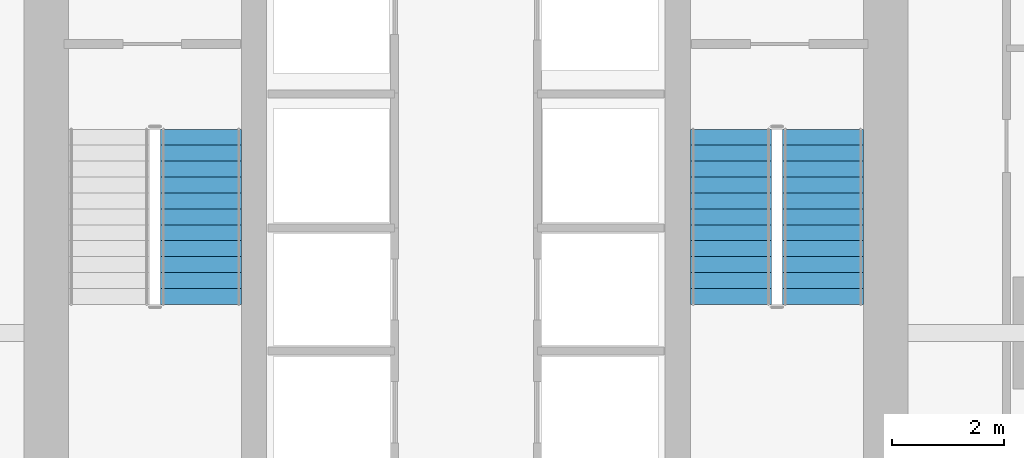
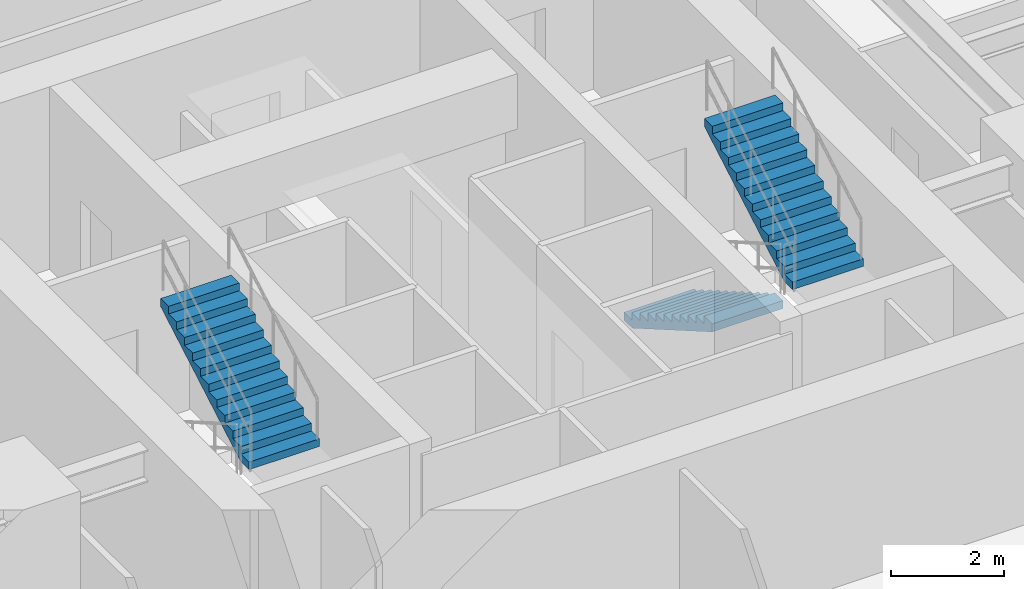
# One storey, part 25 of 27: 3 stair flights, 2 elements without a shape of their own.
"""IFC4 building model written with IfcOpenShell, lengths in metres."""

from ifc_helpers import new_model, si_unit, direction, frame, origin, place, context, subcontext, project, spatial, polyline, outline, extrude, material, type_object, element, aggregate, save


model = new_model("IFC4")

# Units and contexts
model_context = context("Model", 3, precision=1e-05, world=origin(), true_north=direction((0.0, 1.0)))
body_context = subcontext(model_context, "Body", "Model", "MODEL_VIEW")
ifc_project = project(units=[si_unit("LENGTHUNIT", "METRE"), si_unit("AREAUNIT", "SQUARE_METRE"), si_unit("VOLUMEUNIT", "CUBIC_METRE"), si_unit("PLANEANGLEUNIT", "RADIAN"), si_unit("MASSUNIT", "GRAM", prefix="KILO")], contexts=[model_context])

# Site, building, storey
site_placement = place(None, origin())
site = spatial("IfcSite", under=ifc_project, at=site_placement, CompositionType="ELEMENT")
building_placement = place(site_placement, origin())
building = spatial("IfcBuilding", under=site, at=building_placement, Name="Krantzveldt Concourse Tower", CompositionType="ELEMENT")
storey_placement = place(building_placement, frame((0.0, 0.0, 97.949951171875)))
storey = spatial("IfcBuildingStorey", under=building, at=storey_placement, Name="L23", CompositionType="ELEMENT", Elevation=97.949951171875)

# Stair, stair flight
ifc_material = material(Name="Precast concrete C40/50", Category="concrete")
stair_type = type_object("IfcStairType", Name="STR-CORE-DOGLEG", PredefinedType="HALF_TURN_STAIR", material=ifc_material)
stair_1_placement = place(storey_placement, origin())
stair_1 = element("IfcStair", 1, at=stair_1_placement, inside=storey, type_object=stair_type, Name="L23 Protected Escape Stair ST-1", PredefinedType="HALF_TURN_STAIR")
stair_flight_type = type_object("IfcStairFlightType", Name="STF-CORE-1450", PredefinedType="STRAIGHT", material=ifc_material)
stair_flight_1_placement = place(storey_placement, frame((31.2548828125, 16.4150390625, 1.97509765625), z_axis=(0.0, 0.0, 1.0), x_axis=(0.0, 1.0, 0.0)))
stair_flight_1 = element("IfcStairFlight", 2, at=stair_flight_1_placement, type_object=stair_flight_type, Name="ST-1 flight 2", NumberOfRisers=12, NumberOfTreads=11, PredefinedType="STRAIGHT", RiserHeight=0.164583333, TreadLength=0.285, context=body_context, shape_type="SweptSolid", body=[
    extrude(outline(polyline([(0.0, 0.0), (0.0, 0.16455078125), (0.284912109375, 0.16455078125), (0.284912109375, 0.3291015625), (0.570068359375, 0.3291015625), (0.570068359375, 0.49365234375), (0.85498046875, 0.49365234375), (0.85498046875, 0.658447265625), (1.139892578125, 0.658447265625), (1.139892578125, 0.822998046875), (1.425048828125, 0.822998046875), (1.425048828125, 0.987548828125), (1.7099609375, 0.987548828125), (1.7099609375, 1.152099609375), (1.9951171875, 1.152099609375), (1.9951171875, 1.316650390625), (2.280029296875, 1.316650390625), (2.280029296875, 1.481201171875), (2.56494140625, 1.481201171875), (2.56494140625, 1.645751953125), (2.85009765625, 1.645751953125), (2.85009765625, 1.810302734375), (3.135009765625, 1.810302734375), (3.135009765625, 1.97509765625), (3.135009765625, 1.63720703125), (0.2998046875, 0.0), (0.0, 0.0)])), frame((0.0, 0.72509765625, 0.0), z_axis=(0.0, -1.0, 0.0), x_axis=(1.0, 0.0, 0.0)), (0.0, 0.0, 1.0), 1.449951171875),
])
aggregate(stair_1, [stair_flight_1])

# Stair, stair flights
stair_2_placement = place(storey_placement, origin())
stair_2 = element("IfcStair", 3, at=stair_2_placement, inside=storey, type_object=stair_type, Name="L23 Protected Escape Stair ST-2", PredefinedType="HALF_TURN_STAIR")
stair_flight_2_placement = place(storey_placement, frame((40.7451171875, 19.550048828125, 0.0), z_axis=(0.0, 0.0, 1.0), x_axis=(0.0, -1.0, 0.0)))
stair_flight_2 = element("IfcStairFlight", 4, at=stair_flight_2_placement, type_object=stair_flight_type, Name="ST-2 flight 1", NumberOfRisers=12, NumberOfTreads=11, PredefinedType="STRAIGHT", RiserHeight=0.164583333, TreadLength=0.285, context=body_context, shape_type="SweptSolid", body=[
    extrude(outline(polyline([(0.0, 0.0), (0.0, 0.16455078125), (0.284912109375, 0.16455078125), (0.284912109375, 0.3291015625), (0.570068359375, 0.3291015625), (0.570068359375, 0.49365234375), (0.85498046875, 0.49365234375), (0.85498046875, 0.658447265625), (1.139892578125, 0.658447265625), (1.139892578125, 0.822998046875), (1.425048828125, 0.822998046875), (1.425048828125, 0.987548828125), (1.7099609375, 0.987548828125), (1.7099609375, 1.152099609375), (1.9951171875, 1.152099609375), (1.9951171875, 1.316650390625), (2.280029296875, 1.316650390625), (2.280029296875, 1.481201171875), (2.56494140625, 1.481201171875), (2.56494140625, 1.645751953125), (2.85009765625, 1.645751953125), (2.85009765625, 1.810302734375), (3.135009765625, 1.810302734375), (3.135009765625, 1.97509765625), (3.135009765625, 1.63720703125), (0.2998046875, 0.0), (0.0, 0.0)])), frame((0.0, 0.72509765625, 0.0), z_axis=(0.0, -1.0, 0.0), x_axis=(1.0, 0.0, 0.0)), (0.0, 0.0, 1.0), 1.449951171875),
])
stair_flight_3_placement = place(storey_placement, frame((42.39501953125, 16.4150390625, 1.97509765625), z_axis=(0.0, 0.0, 1.0), x_axis=(0.0, 1.0, 0.0)))
stair_flight_3 = element("IfcStairFlight", 5, at=stair_flight_3_placement, type_object=stair_flight_type, Name="ST-2 flight 2", NumberOfRisers=12, NumberOfTreads=11, PredefinedType="STRAIGHT", RiserHeight=0.164583333, TreadLength=0.285, context=body_context, shape_type="SweptSolid", body=[
    extrude(outline(polyline([(0.0, 0.0), (0.0, 0.16455078125), (0.284912109375, 0.16455078125), (0.284912109375, 0.3291015625), (0.570068359375, 0.3291015625), (0.570068359375, 0.49365234375), (0.85498046875, 0.49365234375), (0.85498046875, 0.658447265625), (1.139892578125, 0.658447265625), (1.139892578125, 0.822998046875), (1.425048828125, 0.822998046875), (1.425048828125, 0.987548828125), (1.7099609375, 0.987548828125), (1.7099609375, 1.152099609375), (1.9951171875, 1.152099609375), (1.9951171875, 1.316650390625), (2.280029296875, 1.316650390625), (2.280029296875, 1.481201171875), (2.56494140625, 1.481201171875), (2.56494140625, 1.645751953125), (2.85009765625, 1.645751953125), (2.85009765625, 1.810302734375), (3.135009765625, 1.810302734375), (3.135009765625, 1.97509765625), (3.135009765625, 1.63720703125), (0.2998046875, 0.0), (0.0, 0.0)])), frame((0.0, 0.72509765625, 0.0), z_axis=(0.0, -1.0, 0.0), x_axis=(1.0, 0.0, 0.0)), (0.0, 0.0, 1.0), 1.449951171875),
])
aggregate(stair_2, [stair_flight_2, stair_flight_3])

save(model, "model.ifc")
